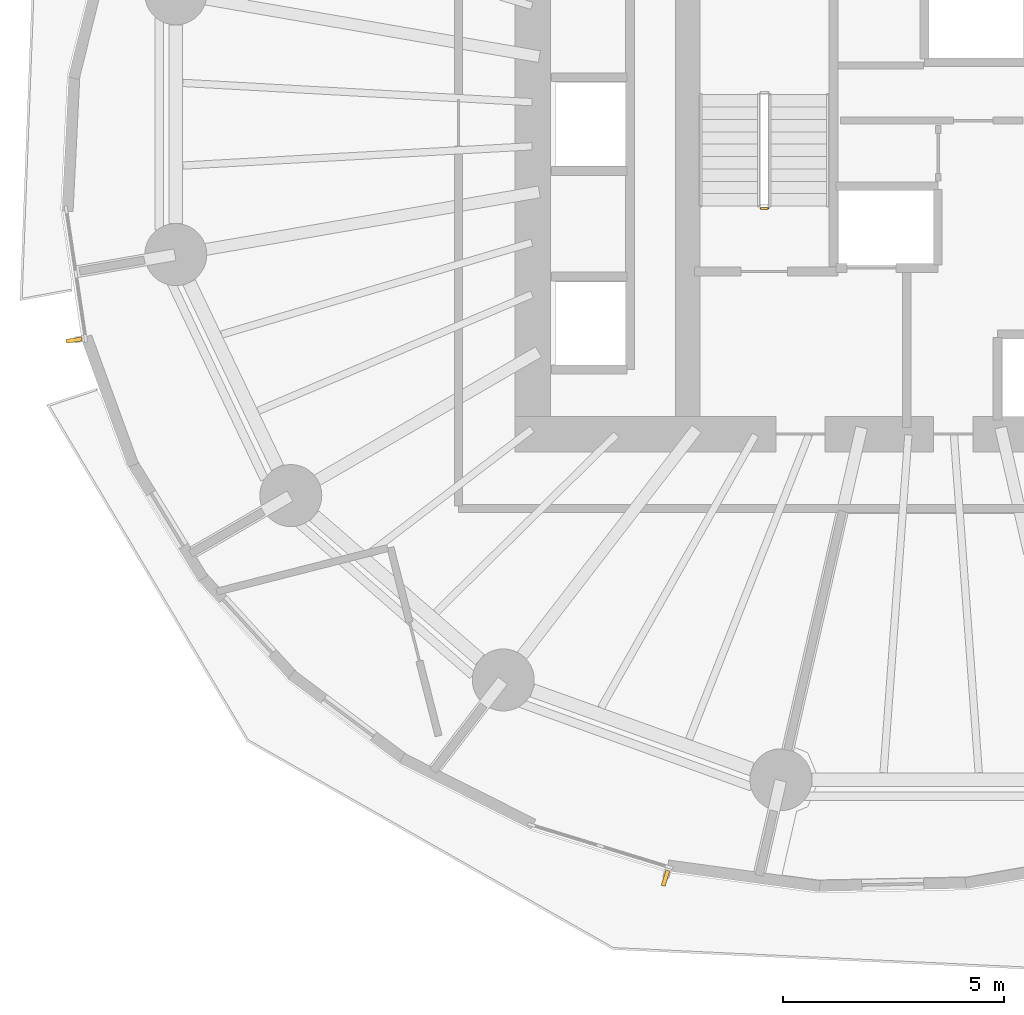
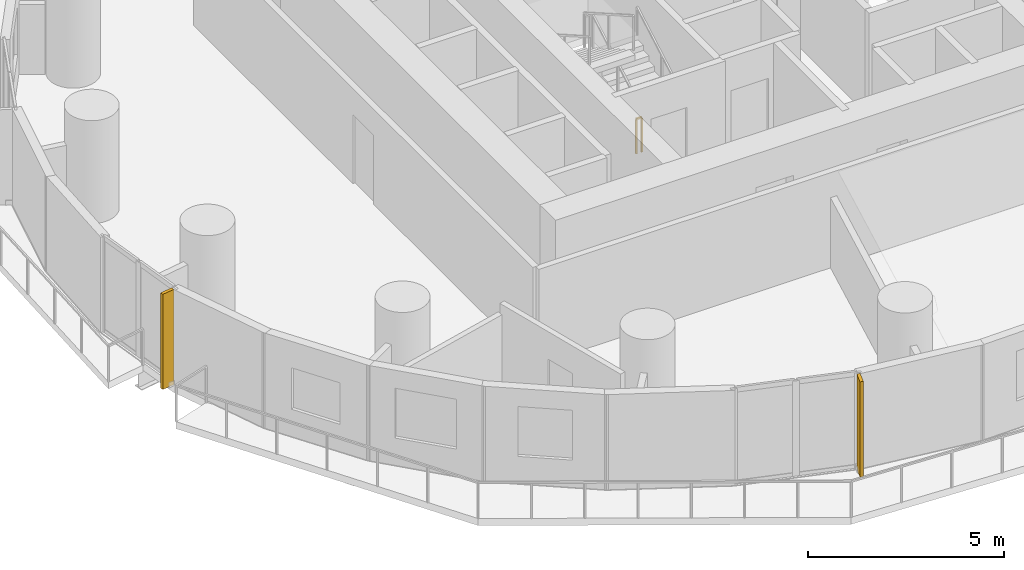
# One storey, part 10 of 13: 2 shading devices, 1 railing.
"""IFC4 building model written with IfcOpenShell, lengths in metres."""

from ifc_helpers import new_model, si_unit, direction, frame, origin, origin_2d, place, context, subcontext, project, spatial, rectangle, extrude, material, layer, layer_set, type_object, element, save


model = new_model("IFC4")

# Units and contexts
model_context = context("Model", 3, precision=1e-05, world=origin(), true_north=direction((0.0, 1.0)))
body_context = subcontext(model_context, "Body", "Model", "MODEL_VIEW")
ifc_project = project(units=[si_unit("LENGTHUNIT", "METRE"), si_unit("AREAUNIT", "SQUARE_METRE"), si_unit("VOLUMEUNIT", "CUBIC_METRE"), si_unit("PLANEANGLEUNIT", "RADIAN"), si_unit("MASSUNIT", "GRAM", prefix="KILO")], contexts=[model_context])

# Site, building, storey
site_placement = place(None, origin())
site = spatial("IfcSite", under=ifc_project, at=site_placement, CompositionType="ELEMENT")
building_placement = place(site_placement, origin())
building = spatial("IfcBuilding", under=site, at=building_placement, Name="Veldorim Arch Residences", CompositionType="ELEMENT")
storey_placement = place(building_placement, frame((0.0, 0.0, 60.0)))
storey = spatial("IfcBuildingStorey", under=building, at=storey_placement, Name="L17", CompositionType="ELEMENT", Elevation=60.0)

# Railing
ifc_material_1 = material(Name="Steel S355", Category="steel")
railing_type = type_object("IfcRailingType", Name="Galvanised Steel Stair Safety Guardrail 1100", PredefinedType="GUARDRAIL", material=ifc_material_1)
railing_placement = place(storey_placement, frame((28.31005859375, 22.10009765625, 0.0)))
element("IfcRailing", 1, at=railing_placement, inside=storey, type_object=railing_type, Name="L17 ST-1 stair guard 4", PredefinedType="GUARDRAIL", context=body_context, shape_type="SweptSolid", body=[
    extrude(rectangle(XDim=0.048095703125, YDim=0.048095703125, at=origin_2d()), frame((0.0, 0.0, 1.076171875), z_axis=(-1.0, 0.0, 0.0), x_axis=(0.0, -1.0, 0.0)), (0.0, 0.0, 1.0), 0.16015625),
    extrude(rectangle(XDim=0.0419921875, YDim=0.0419921875, at=origin_2d()), origin(), (0.0, 0.0, 1.0), 1.052001953125),
    extrude(rectangle(XDim=0.0419921875, YDim=0.0419921875, at=origin_2d()), frame((-0.16015625, 0.0, 0.0)), (0.0, 0.0, 1.0), 1.052001953125),
])

# Shading devices
ifc_material_2 = material(Name="Terracotta Ceramic", Category="masonry")
ifc_layer = layer(ifc_material_2, 0.090087890625, Name="Vertical Extruded Terracotta Baguette Sun-Shading Fin")
ifc_layer_set = layer_set([ifc_layer], Name="Terracotta Ceramic")
shading_device_type = type_object("IfcShadingDeviceType", Name="Vertical Extruded Terracotta Baguette Sun-Shading Fin", PredefinedType="USERDEFINED", material=ifc_layer_set)
for number, where, z_axis, x_axis, name in (
    (2, (12.636474609375, 19.12255859375, 0.0), (0.0, 0.0, 1.0), (-0.14832723834, 0.988938334967, 0.0), "L17 vertical terracotta sun-shading fin 18"),
    (3, (25.99853515625, 6.96728515625, 0.0), (0.0, 0.0, 1.0), (-0.956151539415, 0.292872384621, 0.0), "L17 vertical terracotta sun-shading fin 24"),
):
    element("IfcShadingDevice", number, at=place(storey_placement, frame(where, z_axis=z_axis, x_axis=x_axis)), inside=storey, type_object=shading_device_type, Name=name, ObjectType="FIN", PredefinedType="USERDEFINED", context=body_context, shape_type="SweptSolid", body=[
        extrude(rectangle(XDim=0.090087890625, YDim=0.360107421875, at=origin_2d()), origin(), (0.0, 0.0, 1.0), 2.9599609375),
    ])

save(model, "model.ifc")
